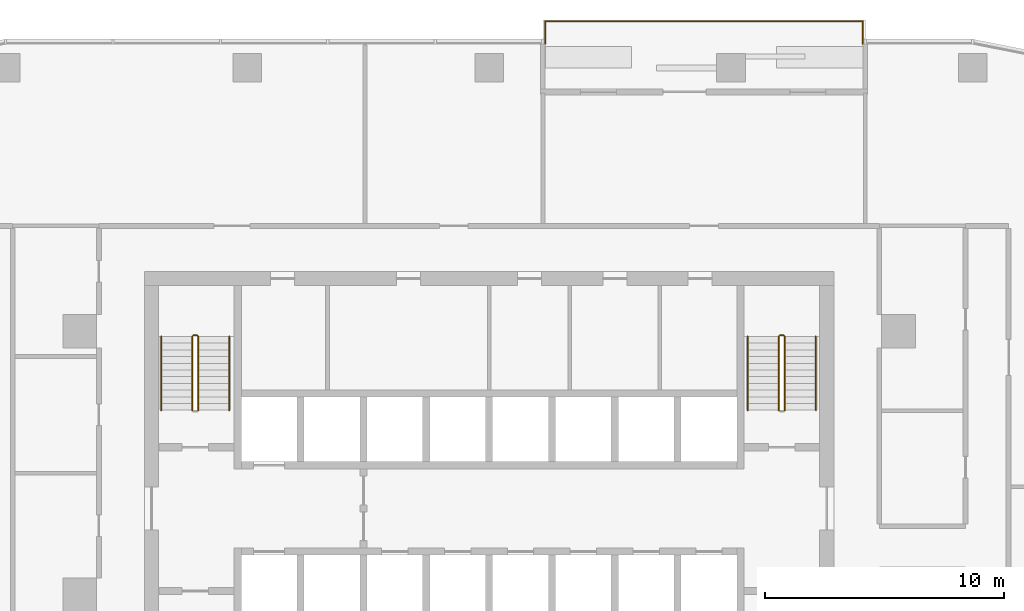
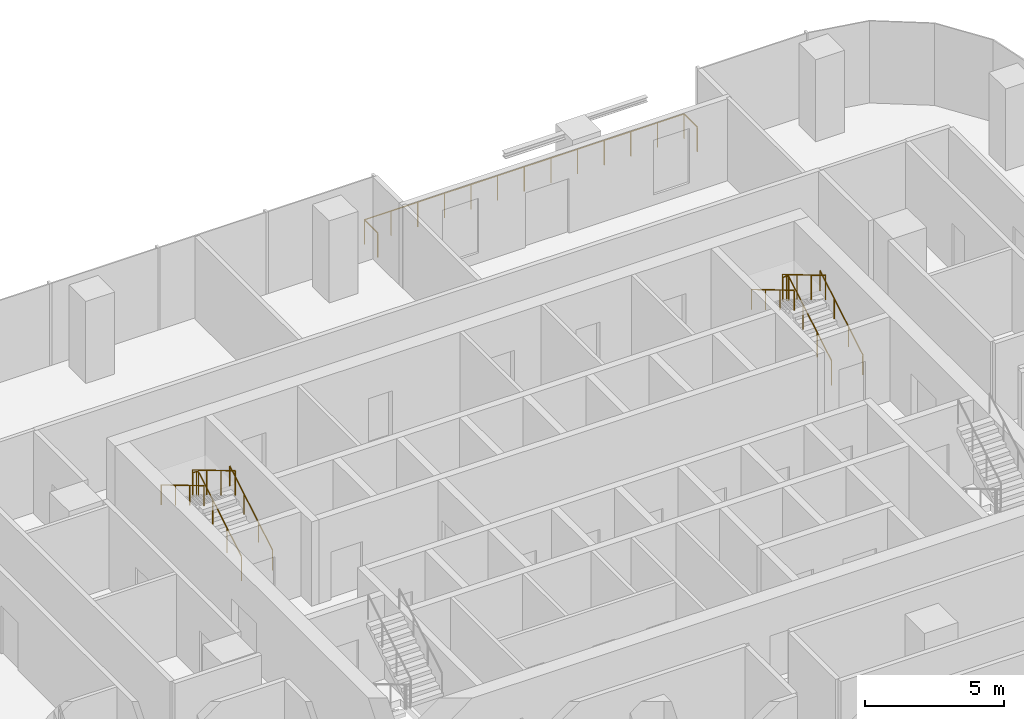
# One storey, part 14 of 14: 9 railings.
"""IFC4 building model written with IfcOpenShell, lengths in metres."""

from ifc_helpers import new_model, si_unit, direction, frame, origin, origin_2d, place, context, subcontext, project, spatial, circle, extrude, material, type_object, element, save


model = new_model("IFC4")

# Units and contexts
model_context = context("Model", 3, precision=1e-05, world=origin(), true_north=direction((0.0, 1.0)))
body_context = subcontext(model_context, "Body", "Model", "MODEL_VIEW")
ifc_project = project(units=[si_unit("LENGTHUNIT", "METRE"), si_unit("AREAUNIT", "SQUARE_METRE"), si_unit("VOLUMEUNIT", "CUBIC_METRE"), si_unit("PLANEANGLEUNIT", "RADIAN"), si_unit("MASSUNIT", "GRAM", prefix="KILO")], contexts=[model_context])

# Site, building, storey
site_placement = place(None, origin())
site = spatial("IfcSite", under=ifc_project, at=site_placement, CompositionType="ELEMENT")
building_placement = place(site_placement, origin())
building = spatial("IfcBuilding", under=site, at=building_placement, Name="Mopane Tessera Tower", CompositionType="ELEMENT")
storey_placement = place(building_placement, frame((0.0, 0.0, 189.0)))
storey = spatial("IfcBuildingStorey", under=building, at=storey_placement, Name="L39", CompositionType="ELEMENT", Elevation=189.0)

# Railings
ifc_material_1 = material(Name="Powder-coated steel balustrade", Category="steel")
railing_type_1 = type_object("IfcRailingType", Name="Escape stair guard 1100 mm", PredefinedType="GUARDRAIL", material=ifc_material_1)
railing_1_placement = place(storey_placement, frame((-12.14990234375, 7.699951171875, 0.166748046875)))
element("IfcRailing", 1, at=railing_1_placement, inside=storey, type_object=railing_type_1, Name="L39 ST2 stair guard 1", PredefinedType="GUARDRAIL", context=body_context, shape_type="SweptSolid", body=[
    extrude(circle(Radius=0.02392578125, at=origin_2d()), frame((0.0, 0.0, 1.076171875), z_axis=(0.0, 0.859308565015, 0.511457515432), x_axis=(-1.0, 0.0, 0.0)), (0.0, 0.0, 1.0), 3.58447265625),
    extrude(circle(Radius=0.02392578125, at=origin_2d()), frame((0.0, 3.080078125, 2.9091796875), z_axis=(-0.707106781187, 0.707106781187, 0.0), x_axis=(-0.707106781187, -0.707106781187, 0.0)), (0.0, 0.0, 1.0), 0.07080078125),
    extrude(circle(Radius=0.02392578125, at=origin_2d()), frame((-0.050048828125, 3.130126953125, 2.9091796875), z_axis=(-1.0, 0.0, 0.0), x_axis=(0.0, -1.0, 0.0)), (0.0, 0.0, 1.0), 0.150146484375),
    extrude(circle(Radius=0.02099609375, at=origin_2d()), origin(), (0.0, 0.0, 1.0), 1.052001953125),
    extrude(circle(Radius=0.02099609375, at=origin_2d()), frame((0.0, 1.026611328125, 0.611083984375)), (0.0, 0.0, 1.0), 1.052001953125),
    extrude(circle(Radius=0.02099609375, at=origin_2d()), frame((0.0, 2.053466796875, 1.22216796875)), (0.0, 0.0, 1.0), 1.052001953125),
    extrude(circle(Radius=0.02099609375, at=origin_2d()), frame((0.0, 3.080078125, 1.833251953125)), (0.0, 0.0, 1.0), 1.052001953125),
    extrude(circle(Radius=0.02099609375, at=origin_2d()), frame((-0.050048828125, 3.130126953125, 1.833251953125)), (0.0, 0.0, 1.0), 1.052001953125),
    extrude(circle(Radius=0.02099609375, at=origin_2d()), frame((-0.2001953125, 3.130126953125, 1.833251953125)), (0.0, 0.0, 1.0), 1.052001953125),
])
railing_2_placement = place(storey_placement, frame((-12.39990234375, 10.780029296875, 2.166748046875)))
element("IfcRailing", 2, at=railing_2_placement, inside=storey, type_object=railing_type_1, Name="L39 ST2 stair guard 2", PredefinedType="GUARDRAIL", context=body_context, shape_type="SweptSolid", body=[
    extrude(circle(Radius=0.02392578125, at=origin_2d()), frame((0.0, 0.0, 1.076171875), z_axis=(0.0, -0.859308565015, 0.511457515432), x_axis=(1.0, 0.0, 0.0)), (0.0, 0.0, 1.0), 3.58447265625),
    extrude(circle(Radius=0.02099609375, at=origin_2d()), origin(), (0.0, 0.0, 1.0), 1.052001953125),
    extrude(circle(Radius=0.02099609375, at=origin_2d()), frame((0.0, -1.026611328125, 0.611083984375)), (0.0, 0.0, 1.0), 1.052001953125),
    extrude(circle(Radius=0.02099609375, at=origin_2d()), frame((0.0, -2.053466796875, 1.22216796875)), (0.0, 0.0, 1.0), 1.052001953125),
    extrude(circle(Radius=0.02099609375, at=origin_2d()), frame((0.0, -3.080078125, 1.833251953125)), (0.0, 0.0, 1.0), 1.052001953125),
])
railing_3_placement = place(storey_placement, frame((12.35009765625, 7.699951171875, 0.166748046875)))
element("IfcRailing", 3, at=railing_3_placement, inside=storey, type_object=railing_type_1, Name="L39 ST4 stair guard 1", PredefinedType="GUARDRAIL", context=body_context, shape_type="SweptSolid", body=[
    extrude(circle(Radius=0.02392578125, at=origin_2d()), frame((0.0, 0.0, 1.076171875), z_axis=(0.0, 0.859308565015, 0.511457515432), x_axis=(-1.0, 0.0, 0.0)), (0.0, 0.0, 1.0), 3.58447265625),
    extrude(circle(Radius=0.02392578125, at=origin_2d()), frame((0.0, 3.080078125, 2.9091796875), z_axis=(-0.707106781187, 0.707106781187, 0.0), x_axis=(-0.707106781187, -0.707106781187, 0.0)), (0.0, 0.0, 1.0), 0.07080078125),
    extrude(circle(Radius=0.02392578125, at=origin_2d()), frame((-0.050048828125, 3.130126953125, 2.9091796875), z_axis=(-1.0, 0.0, 0.0), x_axis=(0.0, -1.0, 0.0)), (0.0, 0.0, 1.0), 0.150146484375),
    extrude(circle(Radius=0.02099609375, at=origin_2d()), origin(), (0.0, 0.0, 1.0), 1.052001953125),
    extrude(circle(Radius=0.02099609375, at=origin_2d()), frame((0.0, 1.026611328125, 0.611083984375)), (0.0, 0.0, 1.0), 1.052001953125),
    extrude(circle(Radius=0.02099609375, at=origin_2d()), frame((0.0, 2.053466796875, 1.22216796875)), (0.0, 0.0, 1.0), 1.052001953125),
    extrude(circle(Radius=0.02099609375, at=origin_2d()), frame((0.0, 3.080078125, 1.833251953125)), (0.0, 0.0, 1.0), 1.052001953125),
    extrude(circle(Radius=0.02099609375, at=origin_2d()), frame((-0.050048828125, 3.130126953125, 1.833251953125)), (0.0, 0.0, 1.0), 1.052001953125),
    extrude(circle(Radius=0.02099609375, at=origin_2d()), frame((-0.2001953125, 3.130126953125, 1.833251953125)), (0.0, 0.0, 1.0), 1.052001953125),
])
railing_4_placement = place(storey_placement, frame((12.10009765625, 10.780029296875, 2.166748046875)))
element("IfcRailing", 4, at=railing_4_placement, inside=storey, type_object=railing_type_1, Name="L39 ST4 stair guard 2", PredefinedType="GUARDRAIL", context=body_context, shape_type="SweptSolid", body=[
    extrude(circle(Radius=0.02392578125, at=origin_2d()), frame((0.0, 0.0, 1.076171875), z_axis=(0.0, -0.859308565015, 0.511457515432), x_axis=(1.0, 0.0, 0.0)), (0.0, 0.0, 1.0), 3.58447265625),
    extrude(circle(Radius=0.02099609375, at=origin_2d()), origin(), (0.0, 0.0, 1.0), 1.052001953125),
    extrude(circle(Radius=0.02099609375, at=origin_2d()), frame((0.0, -1.026611328125, 0.611083984375)), (0.0, 0.0, 1.0), 1.052001953125),
    extrude(circle(Radius=0.02099609375, at=origin_2d()), frame((0.0, -2.053466796875, 1.22216796875)), (0.0, 0.0, 1.0), 1.052001953125),
    extrude(circle(Radius=0.02099609375, at=origin_2d()), frame((0.0, -3.080078125, 1.833251953125)), (0.0, 0.0, 1.0), 1.052001953125),
])
ifc_material_2 = material(Name="Powder-coated steel balustrade", Category="steel")
railing_type_2 = type_object("IfcRailingType", Name="Escape stair handrail 900 mm", PredefinedType="HANDRAIL", material=ifc_material_2)
railing_5_placement = place(storey_placement, frame((-10.85009765625, 7.699951171875, 0.166748046875)))
element("IfcRailing", 5, at=railing_5_placement, inside=storey, type_object=railing_type_2, Name="L39 ST2 stair handrail 1", PredefinedType="HANDRAIL", context=body_context, shape_type="SweptSolid", body=[
    extrude(circle(Radius=0.02392578125, at=origin_2d()), frame((0.0, 0.0, 0.8759765625), z_axis=(0.0, 0.859308565015, 0.511457515432), x_axis=(-1.0, 0.0, 0.0)), (0.0, 0.0, 1.0), 3.58447265625),
    extrude(circle(Radius=0.02099609375, at=origin_2d()), origin(), (0.0, 0.0, 1.0), 0.851806640625),
    extrude(circle(Radius=0.02099609375, at=origin_2d()), frame((0.0, 1.026611328125, 0.611083984375)), (0.0, 0.0, 1.0), 0.851806640625),
    extrude(circle(Radius=0.02099609375, at=origin_2d()), frame((0.0, 2.053466796875, 1.22216796875)), (0.0, 0.0, 1.0), 0.851806640625),
    extrude(circle(Radius=0.02099609375, at=origin_2d()), frame((0.0, 3.080078125, 1.833251953125)), (0.0, 0.0, 1.0), 0.851806640625),
])
railing_6_placement = place(storey_placement, frame((-13.699951171875, 10.780029296875, 2.166748046875)))
element("IfcRailing", 6, at=railing_6_placement, inside=storey, type_object=railing_type_2, Name="L39 ST2 stair handrail 2", PredefinedType="HANDRAIL", context=body_context, shape_type="SweptSolid", body=[
    extrude(circle(Radius=0.02392578125, at=origin_2d()), frame((0.0, 0.0, 0.8759765625), z_axis=(0.0, -0.859308565015, 0.511457515432), x_axis=(1.0, 0.0, 0.0)), (0.0, 0.0, 1.0), 3.58447265625),
    extrude(circle(Radius=0.02099609375, at=origin_2d()), origin(), (0.0, 0.0, 1.0), 0.851806640625),
    extrude(circle(Radius=0.02099609375, at=origin_2d()), frame((0.0, -1.026611328125, 0.611083984375)), (0.0, 0.0, 1.0), 0.851806640625),
    extrude(circle(Radius=0.02099609375, at=origin_2d()), frame((0.0, -2.053466796875, 1.22216796875)), (0.0, 0.0, 1.0), 0.851806640625),
    extrude(circle(Radius=0.02099609375, at=origin_2d()), frame((0.0, -3.080078125, 1.833251953125)), (0.0, 0.0, 1.0), 0.851806640625),
])
railing_7_placement = place(storey_placement, frame((13.64990234375, 7.699951171875, 0.166748046875)))
element("IfcRailing", 7, at=railing_7_placement, inside=storey, type_object=railing_type_2, Name="L39 ST4 stair handrail 1", PredefinedType="HANDRAIL", context=body_context, shape_type="SweptSolid", body=[
    extrude(circle(Radius=0.02392578125, at=origin_2d()), frame((0.0, 0.0, 0.8759765625), z_axis=(0.0, 0.859308565015, 0.511457515432), x_axis=(-1.0, 0.0, 0.0)), (0.0, 0.0, 1.0), 3.58447265625),
    extrude(circle(Radius=0.02099609375, at=origin_2d()), origin(), (0.0, 0.0, 1.0), 0.851806640625),
    extrude(circle(Radius=0.02099609375, at=origin_2d()), frame((0.0, 1.026611328125, 0.611083984375)), (0.0, 0.0, 1.0), 0.851806640625),
    extrude(circle(Radius=0.02099609375, at=origin_2d()), frame((0.0, 2.053466796875, 1.22216796875)), (0.0, 0.0, 1.0), 0.851806640625),
    extrude(circle(Radius=0.02099609375, at=origin_2d()), frame((0.0, 3.080078125, 1.833251953125)), (0.0, 0.0, 1.0), 0.851806640625),
])
railing_8_placement = place(storey_placement, frame((10.800048828125, 10.780029296875, 2.166748046875)))
element("IfcRailing", 8, at=railing_8_placement, inside=storey, type_object=railing_type_2, Name="L39 ST4 stair handrail 2", PredefinedType="HANDRAIL", context=body_context, shape_type="SweptSolid", body=[
    extrude(circle(Radius=0.02392578125, at=origin_2d()), frame((0.0, 0.0, 0.8759765625), z_axis=(0.0, -0.859308565015, 0.511457515432), x_axis=(1.0, 0.0, 0.0)), (0.0, 0.0, 1.0), 3.58447265625),
    extrude(circle(Radius=0.02099609375, at=origin_2d()), origin(), (0.0, 0.0, 1.0), 0.851806640625),
    extrude(circle(Radius=0.02099609375, at=origin_2d()), frame((0.0, -1.026611328125, 0.611083984375)), (0.0, 0.0, 1.0), 0.851806640625),
    extrude(circle(Radius=0.02099609375, at=origin_2d()), frame((0.0, -2.053466796875, 1.22216796875)), (0.0, 0.0, 1.0), 0.851806640625),
    extrude(circle(Radius=0.02099609375, at=origin_2d()), frame((0.0, -3.080078125, 1.833251953125)), (0.0, 0.0, 1.0), 0.851806640625),
])
ifc_material_3 = material(Name="Stainless steel S316", Category="steel")
railing_type_3 = type_object("IfcRailingType", Name="Terrace guard 1100", PredefinedType="GUARDRAIL", material=ifc_material_3)
railing_9_placement = place(storey_placement, frame((15.611083984375, 23.0, 0.0)))
element("IfcRailing", 9, at=railing_9_placement, inside=storey, type_object=railing_type_3, Name="e:nw:L39:N3:guard", PredefinedType="GUARDRAIL", context=body_context, shape_type="SweptSolid", body=[
    extrude(circle(Radius=0.02392578125, at=origin_2d()), frame((0.0, 0.0, 1.076171875), z_axis=(0.0, 1.0, 0.0), x_axis=(-1.0, 0.0, 0.0)), (0.0, 0.0, 1.0), 0.949951171875),
    extrude(circle(Radius=0.02392578125, at=origin_2d()), frame((0.0, 0.949951171875, 1.076171875), z_axis=(-1.0, 0.0, 0.0), x_axis=(0.0, -1.0, 0.0)), (0.0, 0.0, 1.0), 13.2666015625),
    extrude(circle(Radius=0.02392578125, at=origin_2d()), frame((-13.2666015625, 0.949951171875, 1.076171875), z_axis=(0.0, -1.0, 0.0), x_axis=(1.0, 0.0, 0.0)), (0.0, 0.0, 1.0), 0.949951171875),
    extrude(circle(Radius=0.02099609375, at=origin_2d()), origin(), (0.0, 0.0, 1.0), 1.052001953125),
    extrude(circle(Radius=0.02099609375, at=origin_2d()), frame((0.0, 0.949951171875, 0.0)), (0.0, 0.0, 1.0), 1.052001953125),
    extrude(circle(Radius=0.02099609375, at=origin_2d()), frame((-1.10546875, 0.949951171875, 0.0)), (0.0, 0.0, 1.0), 1.052001953125),
    extrude(circle(Radius=0.02099609375, at=origin_2d()), frame((-2.211181640625, 0.949951171875, 0.0)), (0.0, 0.0, 1.0), 1.052001953125),
    extrude(circle(Radius=0.02099609375, at=origin_2d()), frame((-3.316650390625, 0.949951171875, 0.0)), (0.0, 0.0, 1.0), 1.052001953125),
    extrude(circle(Radius=0.02099609375, at=origin_2d()), frame((-4.422119140625, 0.949951171875, 0.0)), (0.0, 0.0, 1.0), 1.052001953125),
    extrude(circle(Radius=0.02099609375, at=origin_2d()), frame((-5.52783203125, 0.949951171875, 0.0)), (0.0, 0.0, 1.0), 1.052001953125),
    extrude(circle(Radius=0.02099609375, at=origin_2d()), frame((-6.63330078125, 0.949951171875, 0.0)), (0.0, 0.0, 1.0), 1.052001953125),
    extrude(circle(Radius=0.02099609375, at=origin_2d()), frame((-7.73876953125, 0.949951171875, 0.0)), (0.0, 0.0, 1.0), 1.052001953125),
    extrude(circle(Radius=0.02099609375, at=origin_2d()), frame((-8.844482421875, 0.949951171875, 0.0)), (0.0, 0.0, 1.0), 1.052001953125),
    extrude(circle(Radius=0.02099609375, at=origin_2d()), frame((-9.949951171875, 0.949951171875, 0.0)), (0.0, 0.0, 1.0), 1.052001953125),
    extrude(circle(Radius=0.02099609375, at=origin_2d()), frame((-11.055419921875, 0.949951171875, 0.0)), (0.0, 0.0, 1.0), 1.052001953125),
    extrude(circle(Radius=0.02099609375, at=origin_2d()), frame((-12.1611328125, 0.949951171875, 0.0)), (0.0, 0.0, 1.0), 1.052001953125),
    extrude(circle(Radius=0.02099609375, at=origin_2d()), frame((-13.2666015625, 0.949951171875, 0.0)), (0.0, 0.0, 1.0), 1.052001953125),
    extrude(circle(Radius=0.02099609375, at=origin_2d()), frame((-13.2666015625, 0.0, 0.0)), (0.0, 0.0, 1.0), 1.052001953125),
])

save(model, "model.ifc")
